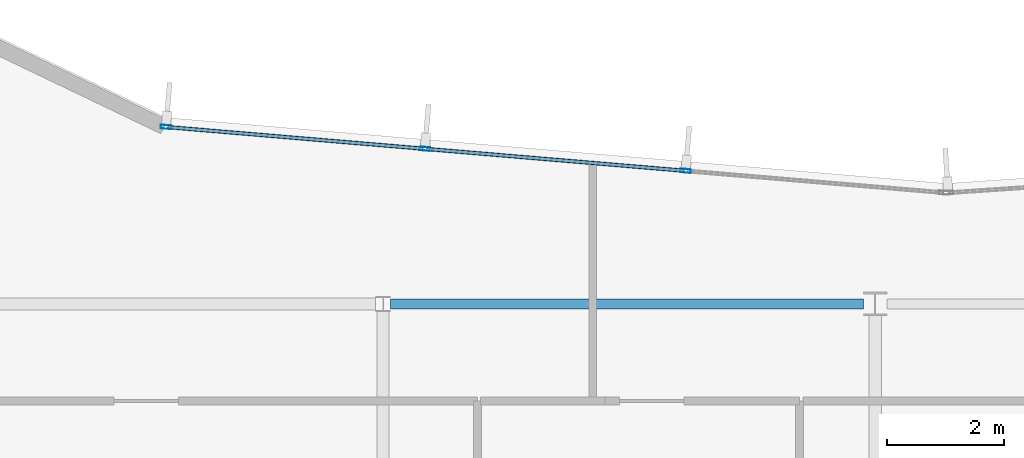
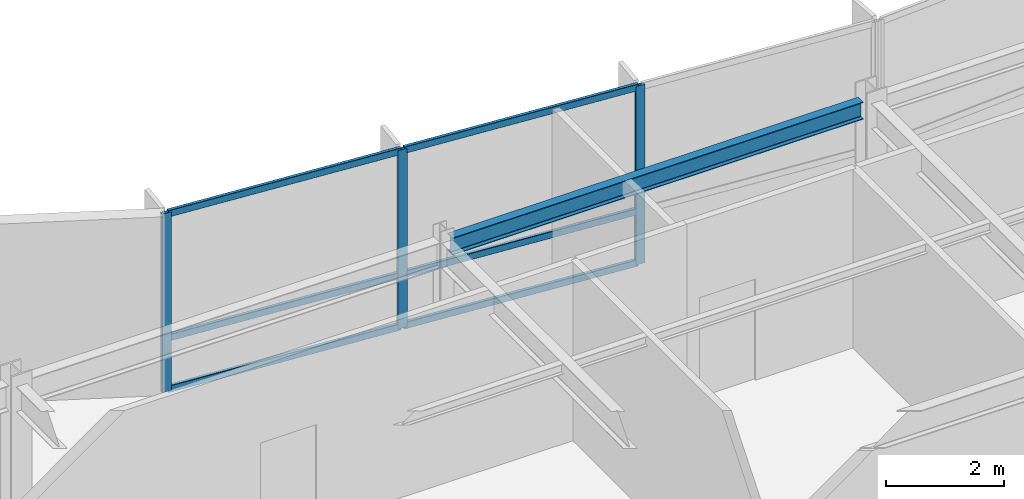
# One storey, part 5 of 14: 9 members, 1 beam, 1 element without a shape of its own.
"""IFC4 building model written with IfcOpenShell, lengths in metres."""

from ifc_helpers import new_model, si_unit, direction, frame, origin, origin_2d, place, context, subcontext, project, spatial, hollow_rectangle, i_section, extrude, material, layer, layer_set, material_profile, profile_set, type_object, element, aggregate, save


model = new_model("IFC4")

# Units and contexts
model_context = context("Model", 3, precision=1e-05, world=origin(), true_north=direction((0.0, 1.0)))
body_context = subcontext(model_context, "Body", "Model", "MODEL_VIEW")
ifc_project = project(units=[si_unit("LENGTHUNIT", "METRE"), si_unit("AREAUNIT", "SQUARE_METRE"), si_unit("VOLUMEUNIT", "CUBIC_METRE"), si_unit("PLANEANGLEUNIT", "RADIAN"), si_unit("MASSUNIT", "GRAM", prefix="KILO")], contexts=[model_context])

# Site, building, storey
site_placement = place(None, origin())
site = spatial("IfcSite", under=ifc_project, at=site_placement, CompositionType="ELEMENT")
building_placement = place(site_placement, origin())
building = spatial("IfcBuilding", under=site, at=building_placement, Name="Varnakote Quay Hospital", CompositionType="ELEMENT")
storey_placement = place(building_placement, frame((0.0, 0.0, 215.800048828125)))
storey = spatial("IfcBuildingStorey", under=building, at=storey_placement, Name="L53", CompositionType="ELEMENT", Elevation=215.800048828125)

# Curtain wall, members
ifc_material_1 = material(Name="Anodised aluminium 6063-T6 Bronze", Category="aluminium")
ifc_layer = layer(ifc_material_1, 0.219970703125)
ifc_layer_set = layer_set([ifc_layer], Name="Anodised aluminium 6063-T6 Bronze")
curtain_wall_type = type_object("IfcCurtainWallType", Name="CW-SYS-4", PredefinedType="NOTDEFINED", material=ifc_layer_set)
curtain_wall_placement = place(storey_placement, origin())
curtain_wall = element("IfcCurtainWall", 1, at=curtain_wall_placement, inside=storey, type_object=curtain_wall_type, Name="L53 Unitised Bronze Curtain Wall 2", PredefinedType="NOTDEFINED")
ifc_material_2 = material(Name="Anodised aluminium 6063-T6 Bronze", Category="aluminium")
ifc_material_profile_1 = material_profile(ifc_material_2, hollow_rectangle(XDim=0.06494140625, YDim=0.179931640625, WallThickness=0.00390625, InnerFilletRadius=0.00390625, OuterFilletRadius=0.008056640625, at=origin_2d()), Name="CW-MULL-180x65")
ifc_profile_set_1 = profile_set([ifc_material_profile_1], Name="Anodised aluminium 6063-T6 Bronze")
member_type_1 = type_object("IfcMemberType", Name="CW-MULL-180x65", PredefinedType="MULLION", material=ifc_profile_set_1)
member_1_placement = place(storey_placement, frame((30.363525390625, 31.0712890625, 0.0), z_axis=(0.0, 0.0, 1.0), x_axis=(-0.084136040089, -0.996454277304, 0.0)))
member_1 = element("IfcMember", 2, at=member_1_placement, type_object=member_type_1, Name="-4-L53-2 mullion 2", PredefinedType="MULLION", context=body_context, shape_type="SweptSolid", body=[
    extrude(hollow_rectangle(XDim=0.06494140625, YDim=0.179931640625, WallThickness=0.00390625, InnerFilletRadius=0.00390625, OuterFilletRadius=0.008056640625, at=origin_2d()), origin(), (0.0, 0.0, 1.0), 3.7099609375),
])
member_2_placement = place(storey_placement, frame((25.912353515625, 31.447265625, 0.0), z_axis=(0.0, 0.0, 1.0), x_axis=(-0.084136040089, -0.996454277304, 0.0)))
member_2 = element("IfcMember", 3, at=member_2_placement, type_object=member_type_1, Name="-4-L53-2 mullion 3", PredefinedType="MULLION", context=body_context, shape_type="SweptSolid", body=[
    extrude(hollow_rectangle(XDim=0.06494140625, YDim=0.179931640625, WallThickness=0.00390625, InnerFilletRadius=0.00390625, OuterFilletRadius=0.008056640625, at=origin_2d()), origin(), (0.0, 0.0, 1.0), 3.7099609375),
])
member_3_placement = place(storey_placement, frame((21.49365234375, 31.8203125, 0.0), z_axis=(0.0, 0.0, 1.0), x_axis=(-0.084136040089, -0.996454277304, 0.0)))
member_3 = element("IfcMember", 4, at=member_3_placement, type_object=member_type_1, Name="-4-L53-2 mullion 4", PredefinedType="MULLION", context=body_context, shape_type="SweptSolid", body=[
    extrude(hollow_rectangle(XDim=0.06494140625, YDim=0.179931640625, WallThickness=0.00390625, InnerFilletRadius=0.00390625, OuterFilletRadius=0.008056640625, at=origin_2d()), origin(), (0.0, 0.0, 1.0), 3.7099609375),
])
ifc_material_3 = material(Name="Anodised aluminium 6063-T6 Bronze", Category="aluminium")
ifc_material_profile_2 = material_profile(ifc_material_3, hollow_rectangle(XDim=0.06494140625, YDim=0.139892578125, WallThickness=0.00390625, InnerFilletRadius=0.00390625, OuterFilletRadius=0.007568359375, at=origin_2d()), Name="CW-TRAN-140x65")
ifc_profile_set_2 = profile_set([ifc_material_profile_2], Name="Anodised aluminium 6063-T6 Bronze")
member_type_2 = type_object("IfcMemberType", Name="CW-TRAN-140x65", PredefinedType="USERDEFINED", material=ifc_profile_set_2)
member_4_placement = place(storey_placement, frame((30.331298828125, 31.073974609375, 0.032470703125), z_axis=(-0.996454515714, 0.084133216471, 0.0), x_axis=(-0.084133216471, -0.996454515714, 0.0)))
member_4 = element("IfcMember", 5, at=member_4_placement, type_object=member_type_2, Name="-4-L53-2 transom 2.1", ObjectType="TRANSOM", PredefinedType="USERDEFINED", context=body_context, shape_type="SweptSolid", body=[
    extrude(hollow_rectangle(XDim=0.06494140625, YDim=0.139892578125, WallThickness=0.00390625, InnerFilletRadius=0.00390625, OuterFilletRadius=0.007568359375, at=origin_2d()), origin(), (0.0, 0.0, 1.0), 4.402099609375),
])
member_5_placement = place(storey_placement, frame((30.331298828125, 31.073974609375, 1.099853515625), z_axis=(-0.996454515714, 0.084133216471, 0.0), x_axis=(-0.084133216471, -0.996454515714, 0.0)))
member_5 = element("IfcMember", 6, at=member_5_placement, type_object=member_type_2, Name="-4-L53-2 transom 2.2", ObjectType="TRANSOM", PredefinedType="USERDEFINED", context=body_context, shape_type="SweptSolid", body=[
    extrude(hollow_rectangle(XDim=0.06494140625, YDim=0.139892578125, WallThickness=0.00390625, InnerFilletRadius=0.00390625, OuterFilletRadius=0.007568359375, at=origin_2d()), origin(), (0.0, 0.0, 1.0), 4.402099609375),
])
member_6_placement = place(storey_placement, frame((30.331298828125, 31.073974609375, 3.677490234375), z_axis=(-0.996454515714, 0.084133216471, 0.0), x_axis=(-0.084133216471, -0.996454515714, 0.0)))
member_6 = element("IfcMember", 7, at=member_6_placement, type_object=member_type_2, Name="-4-L53-2 transom 2.3", ObjectType="TRANSOM", PredefinedType="USERDEFINED", context=body_context, shape_type="SweptSolid", body=[
    extrude(hollow_rectangle(XDim=0.06494140625, YDim=0.139892578125, WallThickness=0.00390625, InnerFilletRadius=0.00390625, OuterFilletRadius=0.007568359375, at=origin_2d()), origin(), (0.0, 0.0, 1.0), 4.402099609375),
])
member_7_placement = place(storey_placement, frame((25.880126953125, 31.449951171875, 0.032470703125), z_axis=(-0.996453440464, 0.084145950507, 0.0), x_axis=(-0.084145950507, -0.996453440464, 0.0)))
member_7 = element("IfcMember", 8, at=member_7_placement, type_object=member_type_2, Name="-4-L53-2 transom 3.1", ObjectType="TRANSOM", PredefinedType="USERDEFINED", context=body_context, shape_type="SweptSolid", body=[
    extrude(hollow_rectangle(XDim=0.06494140625, YDim=0.139892578125, WallThickness=0.00390625, InnerFilletRadius=0.00390625, OuterFilletRadius=0.007568359375, at=origin_2d()), origin(), (0.0, 0.0, 1.0), 4.369384765625),
])
member_8_placement = place(storey_placement, frame((25.880126953125, 31.449951171875, 1.099853515625), z_axis=(-0.996453440464, 0.084145950507, 0.0), x_axis=(-0.084145950507, -0.996453440464, 0.0)))
member_8 = element("IfcMember", 9, at=member_8_placement, type_object=member_type_2, Name="-4-L53-2 transom 3.2", ObjectType="TRANSOM", PredefinedType="USERDEFINED", context=body_context, shape_type="SweptSolid", body=[
    extrude(hollow_rectangle(XDim=0.06494140625, YDim=0.139892578125, WallThickness=0.00390625, InnerFilletRadius=0.00390625, OuterFilletRadius=0.007568359375, at=origin_2d()), origin(), (0.0, 0.0, 1.0), 4.369384765625),
])
member_9_placement = place(storey_placement, frame((25.880126953125, 31.449951171875, 3.677490234375), z_axis=(-0.996453440464, 0.084145950507, 0.0), x_axis=(-0.084145950507, -0.996453440464, 0.0)))
member_9 = element("IfcMember", 10, at=member_9_placement, type_object=member_type_2, Name="-4-L53-2 transom 3.3", ObjectType="TRANSOM", PredefinedType="USERDEFINED", context=body_context, shape_type="SweptSolid", body=[
    extrude(hollow_rectangle(XDim=0.06494140625, YDim=0.139892578125, WallThickness=0.00390625, InnerFilletRadius=0.00390625, OuterFilletRadius=0.007568359375, at=origin_2d()), origin(), (0.0, 0.0, 1.0), 4.369384765625),
])
aggregate(curtain_wall, [member_1, member_2, member_3, member_4, member_5, member_6, member_7, member_8, member_9])

# Beam
ifc_material_4 = material(Name="Structural steel AS/NZS 3679.1 Grade 350 L0 (fy 340 MPa)", Category="steel")
ifc_material_profile_3 = material_profile(ifc_material_4, i_section(OverallWidth=0.172119140625, OverallDepth=0.35888671875, WebThickness=0.008056640625, FlangeThickness=0.012939453125, FilletRadius=0.011474609375, at=origin_2d()), Name="360UB56.7")
ifc_profile_set_3 = profile_set([ifc_material_profile_3], Name="Structural steel AS/NZS 3679.1 Grade 350 L0 (fy 340 MPa)")
beam_type = type_object("IfcBeamType", Name="SPN-STL-360UB56-7", PredefinedType="SPANDREL", material=ifc_profile_set_3)
beam_placement = place(storey_placement, frame((25.327880859375, 28.800048828125, 3.530517578125), z_axis=(1.0, 0.0, 0.0), x_axis=(0.0, 1.0, 0.0)))
element("IfcBeam", 11, at=beam_placement, inside=storey, type_object=beam_type, Name="L53 Perimeter Spandrel Beam", PredefinedType="SPANDREL", context=body_context, shape_type="SweptSolid", body=[
    extrude(i_section(OverallWidth=0.172119140625, OverallDepth=0.35888671875, WebThickness=0.008056640625, FlangeThickness=0.012939453125, FilletRadius=0.011474609375, at=origin_2d()), origin(), (0.0, 0.0, 1.0), 8.072021484375),
])

save(model, "model.ifc")
